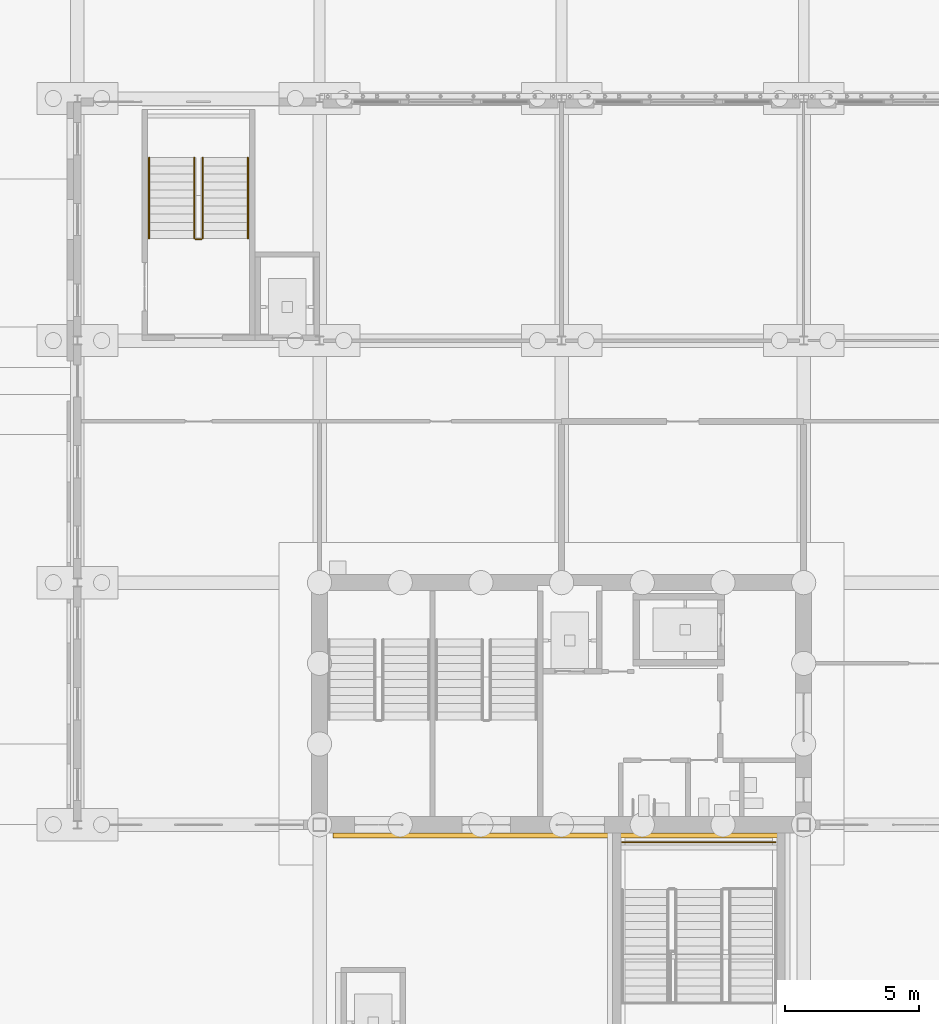
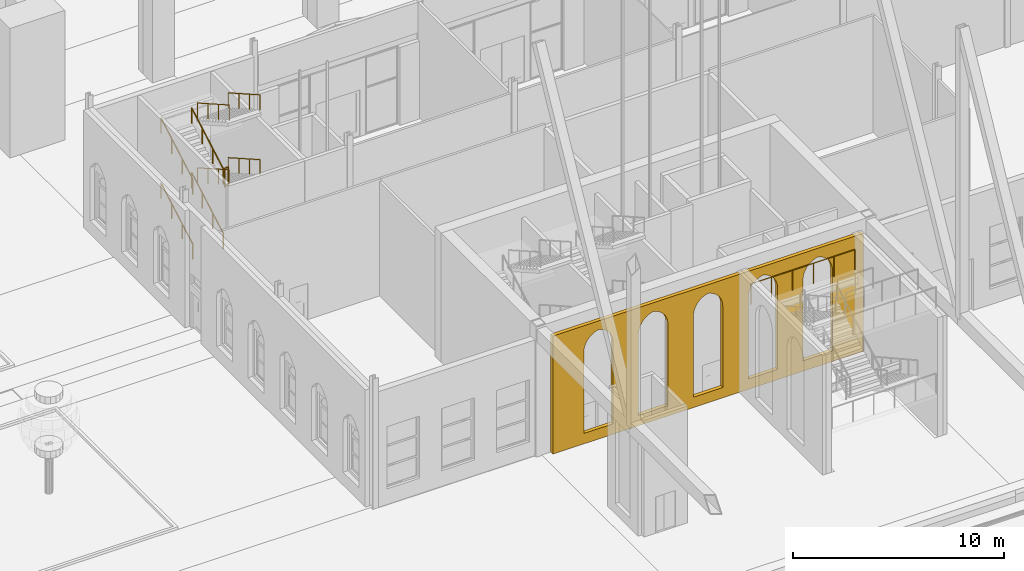
# One storey, part 182 of 250: 10 railings, 1 covering.
"""IFC4 building model written with IfcOpenShell, lengths in metres."""

from ifc_helpers import new_model, si_unit, direction, frame, origin, origin_2d, place, context, subcontext, project, spatial, polyline, circle, outline, extrude, material, layer, layer_set, type_object, element, save


model = new_model("IFC4")

# Units and contexts
model_context = context("Model", 3, precision=1e-05, world=origin(), true_north=direction((0.0, 1.0)))
body_context = subcontext(model_context, "Body", "Model", "MODEL_VIEW")
ifc_project = project(units=[si_unit("LENGTHUNIT", "METRE"), si_unit("AREAUNIT", "SQUARE_METRE"), si_unit("VOLUMEUNIT", "CUBIC_METRE"), si_unit("PLANEANGLEUNIT", "RADIAN"), si_unit("MASSUNIT", "GRAM", prefix="KILO")], contexts=[model_context])

# Site, building, storey
site_placement = place(None, origin())
site = spatial("IfcSite", under=ifc_project, at=site_placement, CompositionType="ELEMENT")
building_placement = place(site_placement, origin())
building = spatial("IfcBuilding", under=site, at=building_placement, Name="Baradari Gate Terminus", CompositionType="ELEMENT")
storey_placement = place(building_placement, origin())
storey = spatial("IfcBuildingStorey", under=building, at=storey_placement, Name="L00", CompositionType="ELEMENT", Elevation=0.0)

# Railings
ifc_material_1 = material(Name="Stainless steel 1.4301", Category="steel")
railing_type_1 = type_object("IfcRailingType", Name="Guard GR-1 1100", PredefinedType="GUARDRAIL", material=ifc_material_1)
railing_1_placement = place(storey_placement, frame((67.60009765625, 102.77001953125, 3.75)))
element("IfcRailing", 1, at=railing_1_placement, inside=storey, type_object=railing_type_1, Name="Landing guard ST-H1 L00", PredefinedType="GUARDRAIL", context=body_context, shape_type="SweptSolid", body=[
    extrude(circle(Radius=0.02392578125, at=origin_2d()), frame((0.0, 0.0, 1.076171875), z_axis=(-1.0, 0.0, 0.0), x_axis=(0.0, -1.0, 0.0)), (0.0, 0.0, 1.0), 0.2001953125),
    extrude(circle(Radius=0.02099609375, at=origin_2d()), origin(), (0.0, 0.0, 1.0), 1.052001953125),
    extrude(circle(Radius=0.02099609375, at=origin_2d()), frame((-0.2001953125, 0.0, 0.0)), (0.0, 0.0, 1.0), 1.052001953125),
])
ifc_material_2 = material(Name="Stainless steel 1.4301", Category="steel")
railing_type_2 = type_object("IfcRailingType", Name="Guard GR-2 1200", PredefinedType="GUARDRAIL", material=ifc_material_2)
railing_2_placement = place(storey_placement, frame((88.949951171875, 80.35009765625, 5.0)))
element("IfcRailing", 2, at=railing_2_placement, inside=storey, type_object=railing_type_2, Name="Landing guard PS-2 L00", PredefinedType="GUARDRAIL", context=body_context, shape_type="SweptSolid", body=[
    extrude(circle(Radius=0.02392578125, at=origin_2d()), frame((0.0, 0.0, 1.17578125), z_axis=(-1.0, 0.0, 0.0), x_axis=(0.0, -1.0, 0.0)), (0.0, 0.0, 1.0), 5.699951171875),
    extrude(circle(Radius=0.02099609375, at=origin_2d()), origin(), (0.0, 0.0, 1.0), 1.15185546875),
    extrude(circle(Radius=0.02099609375, at=origin_2d()), frame((-1.139892578125, 0.0, 0.0)), (0.0, 0.0, 1.0), 1.15185546875),
    extrude(circle(Radius=0.02099609375, at=origin_2d()), frame((-2.280029296875, 0.0, 0.0)), (0.0, 0.0, 1.0), 1.15185546875),
    extrude(circle(Radius=0.02099609375, at=origin_2d()), frame((-3.419921875, 0.0, 0.0)), (0.0, 0.0, 1.0), 1.15185546875),
    extrude(circle(Radius=0.02099609375, at=origin_2d()), frame((-4.56005859375, 0.0, 0.0)), (0.0, 0.0, 1.0), 1.15185546875),
    extrude(circle(Radius=0.02099609375, at=origin_2d()), frame((-5.699951171875, 0.0, 0.0)), (0.0, 0.0, 1.0), 1.15185546875),
])
ifc_material_3 = material(Name="Stainless steel 1.4301", Category="steel")
railing_type_3 = type_object("IfcRailingType", Name="Handrail HR-1 900", PredefinedType="HANDRAIL", material=ifc_material_3)
for number, where, name in (
    (3, (65.659912109375, 102.800048828125, 0.17041015625), "Handrail ST-H1 L00 flight 1"),
    (4, (67.340087890625, 102.800048828125, 0.17041015625), "Handrail ST-H1 L00 flight 1"),
):
    element("IfcRailing", number, at=place(storey_placement, frame(where)), inside=storey, type_object=railing_type_3, Name=name, PredefinedType="HANDRAIL", context=body_context, shape_type="SweptSolid", body=[
        extrude(circle(Radius=0.02392578125, at=origin_2d()), frame((0.0, 0.0, 0.8759765625), z_axis=(0.0, 0.869451031676, 0.494019132744), x_axis=(-1.0, 0.0, 0.0)), (0.0, 0.0, 1.0), 3.450439453125),
        extrude(circle(Radius=0.02099609375, at=origin_2d()), origin(), (0.0, 0.0, 1.0), 0.851806640625),
        extrude(circle(Radius=0.02099609375, at=origin_2d()), frame((0.0, 1.0, 0.568115234375)), (0.0, 0.0, 1.0), 0.851806640625),
        extrude(circle(Radius=0.02099609375, at=origin_2d()), frame((0.0, 2.0, 1.136474609375)), (0.0, 0.0, 1.0), 0.851806640625),
        extrude(circle(Radius=0.02099609375, at=origin_2d()), frame((0.0, 3.0, 1.70458984375)), (0.0, 0.0, 1.0), 0.851806640625),
    ])
for number, where, name in (
    (5, (67.659912109375, 105.800048828125, 2.04541015625), "Handrail ST-H1 L00 flight 2"),
    (6, (69.340087890625, 105.800048828125, 2.04541015625), "Handrail ST-H1 L00 flight 2"),
):
    element("IfcRailing", number, at=place(storey_placement, frame(where)), inside=storey, type_object=railing_type_3, Name=name, PredefinedType="HANDRAIL", context=body_context, shape_type="SweptSolid", body=[
        extrude(circle(Radius=0.02392578125, at=origin_2d()), frame((0.0, 0.0, 0.8759765625), z_axis=(0.0, -0.869451031676, 0.494019132744), x_axis=(1.0, 0.0, 0.0)), (0.0, 0.0, 1.0), 3.450439453125),
        extrude(circle(Radius=0.02099609375, at=origin_2d()), origin(), (0.0, 0.0, 1.0), 0.851806640625),
        extrude(circle(Radius=0.02099609375, at=origin_2d()), frame((0.0, -1.0, 0.568115234375)), (0.0, 0.0, 1.0), 0.851806640625),
        extrude(circle(Radius=0.02099609375, at=origin_2d()), frame((0.0, -2.0, 1.136474609375)), (0.0, 0.0, 1.0), 0.851806640625),
        extrude(circle(Radius=0.02099609375, at=origin_2d()), frame((0.0, -3.0, 1.70458984375)), (0.0, 0.0, 1.0), 0.851806640625),
    ])
for number, where, name in (
    (7, (65.659912109375, 102.800048828125, 3.92041015625), "Handrail ST-H1 L00 flight 3"),
    (8, (67.340087890625, 102.800048828125, 3.92041015625), "Handrail ST-H1 L00 flight 3"),
):
    element("IfcRailing", number, at=place(storey_placement, frame(where)), inside=storey, type_object=railing_type_3, Name=name, PredefinedType="HANDRAIL", context=body_context, shape_type="SweptSolid", body=[
        extrude(circle(Radius=0.02392578125, at=origin_2d()), frame((0.0, 0.0, 0.8759765625), z_axis=(0.0, 0.869451031676, 0.494019132744), x_axis=(-1.0, 0.0, 0.0)), (0.0, 0.0, 1.0), 3.450439453125),
        extrude(circle(Radius=0.02099609375, at=origin_2d()), origin(), (0.0, 0.0, 1.0), 0.851806640625),
        extrude(circle(Radius=0.02099609375, at=origin_2d()), frame((0.0, 1.0, 0.568115234375)), (0.0, 0.0, 1.0), 0.851806640625),
        extrude(circle(Radius=0.02099609375, at=origin_2d()), frame((0.0, 2.0, 1.136474609375)), (0.0, 0.0, 1.0), 0.851806640625),
        extrude(circle(Radius=0.02099609375, at=origin_2d()), frame((0.0, 3.0, 1.70458984375)), (0.0, 0.0, 1.0), 0.851806640625),
    ])
for number, where, name in (
    (9, (67.659912109375, 105.800048828125, 5.79541015625), "Handrail ST-H1 L00 flight 4"),
    (10, (69.340087890625, 105.800048828125, 5.79541015625), "Handrail ST-H1 L00 flight 4"),
):
    element("IfcRailing", number, at=place(storey_placement, frame(where)), inside=storey, type_object=railing_type_3, Name=name, PredefinedType="HANDRAIL", context=body_context, shape_type="SweptSolid", body=[
        extrude(circle(Radius=0.02392578125, at=origin_2d()), frame((0.0, 0.0, 0.8759765625), z_axis=(0.0, -0.869451031676, 0.494019132744), x_axis=(1.0, 0.0, 0.0)), (0.0, 0.0, 1.0), 3.450439453125),
        extrude(circle(Radius=0.02099609375, at=origin_2d()), origin(), (0.0, 0.0, 1.0), 0.851806640625),
        extrude(circle(Radius=0.02099609375, at=origin_2d()), frame((0.0, -1.0, 0.568115234375)), (0.0, 0.0, 1.0), 0.851806640625),
        extrude(circle(Radius=0.02099609375, at=origin_2d()), frame((0.0, -2.0, 1.136474609375)), (0.0, 0.0, 1.0), 0.851806640625),
        extrude(circle(Radius=0.02099609375, at=origin_2d()), frame((0.0, -3.0, 1.70458984375)), (0.0, 0.0, 1.0), 0.851806640625),
    ])

# Covering
ifc_material_4 = material(Name="Light ochre laterite masonry", Category="masonry")
ifc_layer = layer(ifc_material_4, 0.199951171875)
ifc_layer_set = layer_set([ifc_layer], Name="Light ochre laterite masonry")
covering_type = type_object("IfcCoveringType", Name="Laterite arcade cladding LC-2 200", PredefinedType="CLADDING", material=ifc_layer_set)
covering_placement = place(storey_placement, frame((72.5, 80.60009765625, 0.0), z_axis=(0.0, 0.0, 1.0), x_axis=(1.0, 0.0, 0.0)))
element("IfcCovering", 11, at=covering_placement, inside=storey, type_object=covering_type, Name="Underpass front course GN 1", PredefinedType="CLADDING", context=body_context, shape_type="SweptSolid", body=[
    extrude(outline(polyline([(0.0, 0.0), (17.0, 0.0), (17.0, 6.83056640625), (0.0, 6.83056640625), (0.0, 0.0)]), holes=[polyline([(1.70654296875, 5.445556640625), (1.725830078125, 5.55908203125), (1.7578125, 5.669921875), (1.802001953125, 5.776123046875), (1.85791015625, 5.876953125), (1.924560546875, 5.970703125), (2.00146484375, 6.056640625), (2.087646484375, 6.13330078125), (2.181640625, 6.19970703125), (2.28271484375, 6.255126953125), (2.38916015625, 6.298828125), (2.5, 6.33056640625), (2.61083984375, 6.298828125), (2.71728515625, 6.255126953125), (2.818359375, 6.19970703125), (2.912353515625, 6.13330078125), (2.99853515625, 6.056640625), (3.075439453125, 5.970703125), (3.14208984375, 5.876953125), (3.197998046875, 5.776123046875), (3.2421875, 5.669921875), (3.274169921875, 5.55908203125), (3.29345703125, 5.445556640625), (3.300048828125, 5.33056640625), (3.300048828125, 0.60009765625), (1.699951171875, 0.60009765625), (1.699951171875, 5.33056640625), (1.70654296875, 5.445556640625)]), polyline([(4.70654296875, 5.445556640625), (4.725830078125, 5.55908203125), (4.7578125, 5.669921875), (4.802001953125, 5.776123046875), (4.85791015625, 5.876953125), (4.924560546875, 5.970703125), (5.00146484375, 6.056640625), (5.087646484375, 6.13330078125), (5.181640625, 6.19970703125), (5.28271484375, 6.255126953125), (5.38916015625, 6.298828125), (5.5, 6.33056640625), (5.61083984375, 6.298828125), (5.71728515625, 6.255126953125), (5.818359375, 6.19970703125), (5.912353515625, 6.13330078125), (5.99853515625, 6.056640625), (6.075439453125, 5.970703125), (6.14208984375, 5.876953125), (6.197998046875, 5.776123046875), (6.2421875, 5.669921875), (6.274169921875, 5.55908203125), (6.29345703125, 5.445556640625), (6.300048828125, 5.33056640625), (6.300048828125, 0.60009765625), (4.699951171875, 0.60009765625), (4.699951171875, 5.33056640625), (4.70654296875, 5.445556640625)]), polyline([(7.70654296875, 5.445556640625), (7.725830078125, 5.55908203125), (7.7578125, 5.669921875), (7.802001953125, 5.776123046875), (7.85791015625, 5.876953125), (7.924560546875, 5.970703125), (8.00146484375, 6.056640625), (8.087646484375, 6.13330078125), (8.181640625, 6.19970703125), (8.28271484375, 6.255126953125), (8.38916015625, 6.298828125), (8.5, 6.33056640625), (8.61083984375, 6.298828125), (8.71728515625, 6.255126953125), (8.818359375, 6.19970703125), (8.912353515625, 6.13330078125), (8.99853515625, 6.056640625), (9.075439453125, 5.970703125), (9.14208984375, 5.876953125), (9.197998046875, 5.776123046875), (9.2421875, 5.669921875), (9.274169921875, 5.55908203125), (9.29345703125, 5.445556640625), (9.300048828125, 5.33056640625), (9.300048828125, 0.60009765625), (7.699951171875, 0.60009765625), (7.699951171875, 5.33056640625), (7.70654296875, 5.445556640625)]), polyline([(10.725830078125, 5.55908203125), (10.7578125, 5.669921875), (10.802001953125, 5.776123046875), (10.85791015625, 5.876953125), (10.924560546875, 5.970703125), (11.00146484375, 6.056640625), (11.087646484375, 6.13330078125), (11.181640625, 6.19970703125), (11.28271484375, 6.255126953125), (11.38916015625, 6.298828125), (11.5, 6.33056640625), (11.61083984375, 6.298828125), (11.71728515625, 6.255126953125), (11.818359375, 6.19970703125), (11.912353515625, 6.13330078125), (11.99853515625, 6.056640625), (12.075439453125, 5.970703125), (12.14208984375, 5.876953125), (12.197998046875, 5.776123046875), (12.2421875, 5.669921875), (12.274169921875, 5.55908203125), (12.29345703125, 5.445556640625), (12.300048828125, 5.33056640625), (12.300048828125, 0.60009765625), (10.699951171875, 0.60009765625), (10.699951171875, 5.33056640625), (10.70654296875, 5.445556640625), (10.725830078125, 5.55908203125)]), polyline([(13.725830078125, 5.55908203125), (13.7578125, 5.669921875), (13.802001953125, 5.776123046875), (13.85791015625, 5.876953125), (13.924560546875, 5.970703125), (14.00146484375, 6.056640625), (14.087646484375, 6.13330078125), (14.181640625, 6.19970703125), (14.28271484375, 6.255126953125), (14.38916015625, 6.298828125), (14.5, 6.33056640625), (14.61083984375, 6.298828125), (14.71728515625, 6.255126953125), (14.818359375, 6.19970703125), (14.912353515625, 6.13330078125), (14.99853515625, 6.056640625), (15.075439453125, 5.970703125), (15.14208984375, 5.876953125), (15.197998046875, 5.776123046875), (15.2421875, 5.669921875), (15.274169921875, 5.55908203125), (15.29345703125, 5.445556640625), (15.300048828125, 5.33056640625), (15.300048828125, 0.60009765625), (13.699951171875, 0.60009765625), (13.699951171875, 5.33056640625), (13.70654296875, 5.445556640625), (13.725830078125, 5.55908203125)])]), frame((0.0, 0.10009765625, 0.0), z_axis=(0.0, -1.0, 0.0), x_axis=(1.0, 0.0, 0.0)), (0.0, 0.0, 1.0), 0.199951171875),
])

save(model, "model.ifc")
